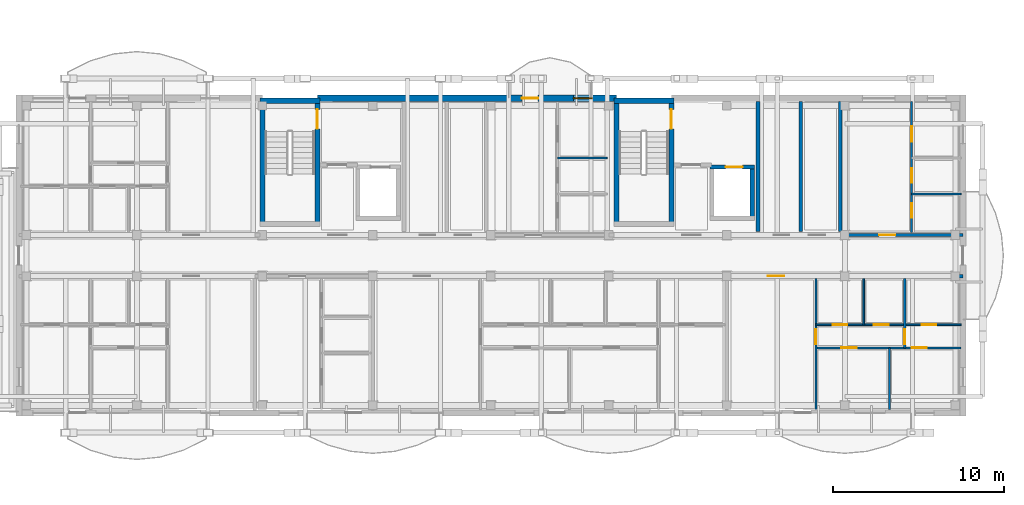
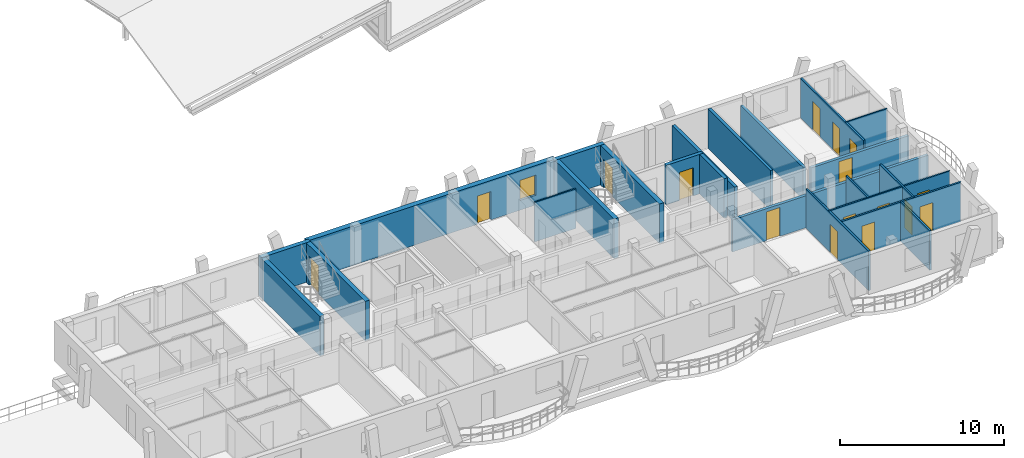
# One storey, part 80 of 109: 23 walls, 16 doors, 1 window, 17 openings.
"""IFC4 building model written with IfcOpenShell, lengths in metres."""

from ifc_helpers import new_model, si_unit, direction, frame, frame_2d, origin, origin_with_axes, place, context, subcontext, project, spatial, rectangle, extrude, material, layer, layer_set, type_object, element, fill, save


model = new_model("IFC4")

# Units and contexts
model_context = context("Model", 3, precision=1e-05, world=origin(), true_north=direction((0.0, 1.0)))
body_context = subcontext(model_context, "Body", "Model", "MODEL_VIEW")
ifc_project = project(units=[si_unit("LENGTHUNIT", "METRE"), si_unit("AREAUNIT", "SQUARE_METRE"), si_unit("VOLUMEUNIT", "CUBIC_METRE"), si_unit("PLANEANGLEUNIT", "RADIAN"), si_unit("MASSUNIT", "GRAM", prefix="KILO")], contexts=[model_context])

# Site, building, storey
site_placement = place(None, origin())
site = spatial("IfcSite", under=ifc_project, at=site_placement, CompositionType="ELEMENT")
building_placement = place(site_placement, origin())
building = spatial("IfcBuilding", under=site, at=building_placement, Name="Zavelmont Quarter", CompositionType="ELEMENT")
storey_placement = place(building_placement, frame((0.0, 0.0, 8.0)))
storey = spatial("IfcBuildingStorey", under=building, at=storey_placement, Name="L02", CompositionType="ELEMENT", Elevation=8.0)

# Wall, openings, door, window
ifc_material_1 = material(Name="Natural Belgian limestone", Category="masonry")
ifc_layer_1 = layer(ifc_material_1, 0.360107421875)
ifc_layer_set_1 = layer_set([ifc_layer_1], Name="Natural Belgian limestone")
wall_type_1 = type_object("IfcWallType", Name="EW02", PredefinedType="STANDARD", material=ifc_layer_set_1)
wall_1_placement = place(storey_placement, frame((130.25, 18.39990234375, 0.0), z_axis=(0.0, 0.0, 1.0), x_axis=(1.0, 0.0, 0.0)))
wall_1 = element("IfcWall", 1, at=wall_1_placement, inside=storey, type_object=wall_type_1, Name="L02 exterior limestone wall EW02", PredefinedType="STANDARD", context=body_context, shape_type="SweptSolid", body=[
    extrude(rectangle(XDim=17.5, YDim=0.360107421875, at=frame_2d((8.75, 0.0))), origin(), (0.0, 0.0, 1.0), 2.93994140625),
])
opening_1_placement = place(wall_1_placement, frame((11.96630859375, 0.0, 0.0)))
opening_1 = element("IfcOpeningElement", 2, at=opening_1_placement, cuts=wall_1, Name="Opening DR04", PredefinedType="OPENING", context=body_context, shape_type="SweptSolid", body=[
    extrude(rectangle(XDim=0.949951171875, YDim=2.10009765625, at=frame_2d((0.47509765625, 1.050048828125))), frame((0.0, 0.19189453125, 0.0), z_axis=(0.0, -1.0, 0.0), x_axis=(1.0, 0.0, 0.0)), (0.0, 0.0, 1.0), 0.384033203125),
])
opening_2_placement = place(wall_1_placement, frame((14.969970703125, 0.0, 0.719970703125)))
opening_2 = element("IfcOpeningElement", 3, at=opening_2_placement, cuts=wall_1, Name="Opening WN09", PredefinedType="OPENING", context=body_context, shape_type="SweptSolid", body=[
    extrude(rectangle(XDim=1.10009765625, YDim=1.5, at=frame_2d((0.550048828125, 0.75))), frame((0.0, 0.19189453125, 0.0), z_axis=(0.0, -1.0, 0.0), x_axis=(1.0, 0.0, 0.0)), (0.0, 0.0, 1.0), 0.384033203125),
])
ifc_material_2 = material(Name="Thermally broken aluminium and double safety glass", Category="aluminium")
door_type_1 = type_object("IfcDoorType", Name="DR04", OperationType="NOTDEFINED", PredefinedType="DOOR", material=ifc_material_2)
door_1_placement = place(opening_1_placement, frame((0.949951171875, 0.0, 0.0), z_axis=(0.0, 0.0, 1.0), x_axis=(-1.0, 0.0, 0.0)))
door_1 = element("IfcDoor", 4, at=door_1_placement, inside=storey, type_object=door_type_1, Name="Block D L02 glazed balcony door", OperationType="SINGLE_SWING_LEFT", OverallHeight=2.10009765625, OverallWidth=0.949951171875, PredefinedType="DOOR", context=body_context, shape_type="SweptSolid", body=[
    extrude(rectangle(XDim=0.949951171875, YDim=2.10009765625, at=frame_2d((0.47509765625, 1.050048828125))), frame((0.0, 0.02490234375, 0.0), z_axis=(0.0, -1.0, 0.0), x_axis=(1.0, 0.0, 0.0)), (0.0, 0.0, 1.0), 0.050048828125),
])
fill(opening_1, door_1)
ifc_material_3 = material(Name="Double low-E insulated glazing in thermally broken aluminium frame", Category="aluminium")
window_type = type_object("IfcWindowType", Name="WN09", PartitioningType="SINGLE_PANEL", PredefinedType="WINDOW", material=ifc_material_3)
window_placement = place(opening_2_placement, origin_with_axes())
window = element("IfcWindow", 5, at=window_placement, inside=storey, type_object=window_type, Name="L02 window WN09", OverallHeight=1.5, OverallWidth=1.10009765625, PartitioningType="SINGLE_PANEL", PredefinedType="WINDOW", context=body_context, shape_type="SweptSolid", body=[
    extrude(rectangle(XDim=1.10009765625, YDim=1.5, at=frame_2d((0.550048828125, 0.75))), frame((0.0, 0.030029296875, 0.0), z_axis=(0.0, -1.0, 0.0), x_axis=(1.0, 0.0, 0.0)), (0.0, 0.0, 1.0), 0.06005859375),
])
fill(opening_2, window)

# Walls
ifc_material_4 = material(Name="Calcium-silicate blockwork and acoustic plaster", Category="masonry")
ifc_layer_2 = layer(ifc_material_4, 0.199951171875)
ifc_layer_set_2 = layer_set([ifc_layer_2], Name="Calcium-silicate blockwork and acoustic plaster")
wall_type_2 = type_object("IfcWallType", Name="IW01", PredefinedType="PARTITIONING", material=ifc_layer_set_2)
wall_2_placement = place(storey_placement, frame((158.52490234375, 10.60009765625, 0.0), z_axis=(0.0, 0.0, 1.0), x_axis=(0.0, 1.0, 0.0)))
element("IfcWall", 6, at=wall_2_placement, inside=storey, type_object=wall_type_2, Name="L02 Service riser divider wall IW01", PredefinedType="PARTITIONING", context=body_context, shape_type="SweptSolid", body=[
    extrude(rectangle(XDim=7.599853515625, YDim=0.199951171875, at=frame_2d((3.7998046875, 0.0))), origin(), (0.0, 0.0, 1.0), 2.93994140625),
])
wall_3_placement = place(storey_placement, frame((160.820068359375, 10.60009765625, 0.0), z_axis=(0.0, 0.0, 1.0), x_axis=(0.0, 1.0, 0.0)))
element("IfcWall", 7, at=wall_3_placement, inside=storey, type_object=wall_type_2, Name="L02 Core service end wall IW01", PredefinedType="PARTITIONING", context=body_context, shape_type="SweptSolid", body=[
    extrude(rectangle(XDim=7.599853515625, YDim=0.199951171875, at=frame_2d((3.7998046875, 0.0))), origin(), (0.0, 0.0, 1.0), 2.3798828125),
])

# Wall, opening, door
wall_4_placement = place(storey_placement, frame((154.199951171875, 8.0, 0.0), z_axis=(0.0, 0.0, 1.0), x_axis=(1.0, 0.0, 0.0)))
wall_4 = element("IfcWall", 8, at=wall_4_placement, inside=storey, type_object=wall_type_2, Name="L02 Corridor compartment wall IW01", PredefinedType="PARTITIONING", context=body_context, shape_type="SweptSolid", body=[
    extrude(rectangle(XDim=13.800048828125, YDim=0.199951171875, at=frame_2d((6.89990234375, 0.0))), origin(), (0.0, 0.0, 1.0), 2.3798828125),
])
opening_3_placement = place(wall_4_placement, frame((2.39990234375, 0.0, 0.0)))
opening_3 = element("IfcOpeningElement", 9, at=opening_3_placement, cuts=wall_4, Name="Opening DR02", PredefinedType="OPENING", context=body_context, shape_type="SweptSolid", body=[
    extrude(rectangle(XDim=0.949951171875, YDim=2.14990234375, at=frame_2d((0.47509765625, 1.074951171875))), frame((0.0, 0.11181640625, 0.0), z_axis=(0.0, -1.0, 0.0), x_axis=(1.0, 0.0, 0.0)), (0.0, 0.0, 1.0), 0.223876953125),
])
ifc_material_5 = material(Name="Solid-core oak fire leaf in steel frame", Category="steel")
door_type_2 = type_object("IfcDoorType", Name="DR02", OperationType="NOTDEFINED", PredefinedType="DOOR", material=ifc_material_5)
door_2_placement = place(opening_3_placement, frame((0.949951171875, 0.0, 0.0), z_axis=(0.0, 0.0, 1.0), x_axis=(-1.0, 0.0, 0.0)))
door_2 = element("IfcDoor", 10, at=door_2_placement, inside=storey, type_object=door_type_2, Name="L02 door DR02", OperationType="SINGLE_SWING_RIGHT", OverallHeight=2.14990234375, OverallWidth=0.949951171875, PredefinedType="DOOR", context=body_context, shape_type="SweptSolid", body=[
    extrude(rectangle(XDim=0.949951171875, YDim=2.14990234375, at=frame_2d((0.47509765625, 1.074951171875))), frame((0.0, 0.02490234375, 0.0), z_axis=(0.0, -1.0, 0.0), x_axis=(1.0, 0.0, 0.0)), (0.0, 0.0, 1.0), 0.050048828125),
])
fill(opening_3, door_2)

wall_5_placement = place(storey_placement, frame((161.10009765625, 10.39990234375, 0.0), z_axis=(0.0, 0.0, 1.0), x_axis=(1.0, 0.0, 0.0)))
wall_5 = element("IfcWall", 11, at=wall_5_placement, inside=storey, type_object=wall_type_2, Name="L02 Corridor compartment wall IW01", PredefinedType="PARTITIONING", context=body_context, shape_type="SweptSolid", body=[
    extrude(rectangle(XDim=6.89990234375, YDim=0.199951171875, at=frame_2d((3.449951171875, 0.0))), origin(), (0.0, 0.0, 1.0), 2.3798828125),
])
opening_4_placement = place(wall_5_placement, frame((2.0, 0.0, 0.0)))
opening_4 = element("IfcOpeningElement", 12, at=opening_4_placement, cuts=wall_5, Name="Opening DR02", PredefinedType="OPENING", context=body_context, shape_type="SweptSolid", body=[
    extrude(rectangle(XDim=0.949951171875, YDim=2.14990234375, at=frame_2d((0.47509765625, 1.074951171875))), frame((0.0, 0.11181640625, 0.0), z_axis=(0.0, -1.0, 0.0), x_axis=(1.0, 0.0, 0.0)), (0.0, 0.0, 1.0), 0.223876953125),
])
door_3_placement = place(opening_4_placement, origin_with_axes())
door_3 = element("IfcDoor", 13, at=door_3_placement, inside=storey, type_object=door_type_2, Name="L02 door DR02", OperationType="SINGLE_SWING_RIGHT", OverallHeight=2.14990234375, OverallWidth=0.949951171875, PredefinedType="DOOR", context=body_context, shape_type="SweptSolid", body=[
    extrude(rectangle(XDim=0.949951171875, YDim=2.14990234375, at=frame_2d((0.47509765625, 1.074951171875))), frame((0.0, 0.02490234375, 0.0), z_axis=(0.0, -1.0, 0.0), x_axis=(1.0, 0.0, 0.0)), (0.0, 0.0, 1.0), 0.050048828125),
])
fill(opening_4, door_3)

# Wall
ifc_material_6 = material(Name="Reinforced masonry fire compartment wall", Category="masonry")
ifc_layer_3 = layer(ifc_material_6, 0.22509765625)
ifc_layer_set_3 = layer_set([ifc_layer_3], Name="Reinforced masonry fire compartment wall")
wall_type_3 = type_object("IfcWallType", Name="IW02", PredefinedType="PARTITIONING", material=ifc_layer_set_3)
wall_6_placement = place(storey_placement, frame((156.010009765625, 10.60009765625, 0.0), z_axis=(0.0, 0.0, 1.0), x_axis=(0.0, 1.0, 0.0)))
element("IfcWall", 14, at=wall_6_placement, inside=storey, type_object=wall_type_3, Name="L02 Firefighting lobby enclosure wall IW02", PredefinedType="PARTITIONING", context=body_context, shape_type="SweptSolid", body=[
    extrude(rectangle(XDim=7.599853515625, YDim=0.22509765625, at=frame_2d((3.7998046875, 0.0))), origin(), (0.0, 0.0, 1.0), 2.590087890625),
])

# Wall, opening, door
ifc_material_7 = material(Name="Double gypsum board on acoustic steel stud", Category="steel")
ifc_layer_4 = layer(ifc_material_7, 0.125)
ifc_layer_set_4 = layer_set([ifc_layer_4], Name="Double gypsum board on acoustic steel stud")
wall_type_4 = type_object("IfcWallType", Name="IW03", PredefinedType="PARTITIONING", material=ifc_layer_set_4)
wall_7_placement = place(storey_placement, frame((159.39990234375, 7.85009765625, 0.0), z_axis=(0.0, 0.0, 1.0), x_axis=(0.0, -1.0, 0.0)))
wall_7 = element("IfcWall", 15, at=wall_7_placement, inside=storey, type_object=wall_type_4, Name="L02 Partition IW03", PredefinedType="PARTITIONING", context=body_context, shape_type="SweptSolid", body=[
    extrude(rectangle(XDim=7.650146484375, YDim=0.125, at=frame_2d((3.8251953125, 0.0))), origin(), (0.0, 0.0, 1.0), 2.93994140625),
])
opening_5_placement = place(wall_7_placement, frame((2.949951171875, 0.0, 0.0)))
opening_5 = element("IfcOpeningElement", 16, at=opening_5_placement, cuts=wall_7, Name="Opening DR05", PredefinedType="OPENING", context=body_context, shape_type="SweptSolid", body=[
    extrude(rectangle(XDim=0.89990234375, YDim=2.10009765625, at=frame_2d((0.449951171875, 1.050048828125))), frame((0.0, 0.074462890625, 0.0), z_axis=(0.0, -1.0, 0.0), x_axis=(1.0, 0.0, 0.0)), (0.0, 0.0, 1.0), 0.14892578125),
])
ifc_material_8 = material(Name="Engineered oak flush interior door")
door_type_3 = type_object("IfcDoorType", Name="DR05", OperationType="NOTDEFINED", PredefinedType="DOOR", material=ifc_material_8)
door_4_placement = place(opening_5_placement, frame((0.89990234375, 0.0, 0.0), z_axis=(0.0, 0.0, 1.0), x_axis=(-1.0, 0.0, 0.0)))
door_4 = element("IfcDoor", 17, at=door_4_placement, inside=storey, type_object=door_type_3, Name="L02 door DR05", OperationType="SINGLE_SWING_RIGHT", OverallHeight=2.10009765625, OverallWidth=0.89990234375, PredefinedType="DOOR", context=body_context, shape_type="SweptSolid", body=[
    extrude(rectangle(XDim=0.89990234375, YDim=2.10009765625, at=frame_2d((0.449951171875, 1.050048828125))), frame((0.0, 0.02490234375, 0.0), z_axis=(0.0, -1.0, 0.0), x_axis=(1.0, 0.0, 0.0)), (0.0, 0.0, 1.0), 0.050048828125),
])
fill(opening_5, door_4)

wall_8_placement = place(storey_placement, frame((164.60009765625, 7.85009765625, 0.0), z_axis=(0.0, 0.0, 1.0), x_axis=(0.0, -1.0, 0.0)))
wall_8 = element("IfcWall", 18, at=wall_8_placement, inside=storey, type_object=wall_type_4, Name="L02 Partition IW03", PredefinedType="PARTITIONING", context=body_context, shape_type="SweptSolid", body=[
    extrude(rectangle(XDim=4.050048828125, YDim=0.125, at=frame_2d((2.02490234375, 0.0))), origin(), (0.0, 0.0, 1.0), 2.93994140625),
])
opening_6_placement = place(wall_8_placement, frame((2.949951171875, 0.0, 0.0)))
opening_6 = element("IfcOpeningElement", 19, at=opening_6_placement, cuts=wall_8, Name="Opening DR05", PredefinedType="OPENING", context=body_context, shape_type="SweptSolid", body=[
    extrude(rectangle(XDim=0.89990234375, YDim=2.10009765625, at=frame_2d((0.449951171875, 1.050048828125))), frame((0.0, 0.074462890625, 0.0), z_axis=(0.0, -1.0, 0.0), x_axis=(1.0, 0.0, 0.0)), (0.0, 0.0, 1.0), 0.14892578125),
])
door_5_placement = place(opening_6_placement, origin_with_axes())
door_5 = element("IfcDoor", 20, at=door_5_placement, inside=storey, type_object=door_type_3, Name="L02 door DR05", OperationType="SINGLE_SWING_LEFT", OverallHeight=2.10009765625, OverallWidth=0.89990234375, PredefinedType="DOOR", context=body_context, shape_type="SweptSolid", body=[
    extrude(rectangle(XDim=0.89990234375, YDim=2.10009765625, at=frame_2d((0.449951171875, 1.050048828125))), frame((0.0, 0.02490234375, 0.0), z_axis=(0.0, -1.0, 0.0), x_axis=(1.0, 0.0, 0.0)), (0.0, 0.0, 1.0), 0.050048828125),
])
fill(opening_6, door_5)

# Wall
wall_9_placement = place(storey_placement, frame((163.699951171875, 3.800048828125, 0.0), z_axis=(0.0, 0.0, 1.0), x_axis=(0.0, -1.0, 0.0)))
element("IfcWall", 21, at=wall_9_placement, inside=storey, type_object=wall_type_4, Name="L02 Partition IW03", PredefinedType="PARTITIONING", context=body_context, shape_type="SweptSolid", body=[
    extrude(rectangle(XDim=3.60009765625, YDim=0.125, at=frame_2d((1.800048828125, 0.0))), origin(), (0.0, 0.0, 1.0), 2.93994140625),
])

# Wall, openings, doors
wall_10_placement = place(storey_placement, frame((159.39990234375, 3.800048828125, 0.0), z_axis=(0.0, 0.0, 1.0), x_axis=(1.0, 0.0, 0.0)))
wall_10 = element("IfcWall", 22, at=wall_10_placement, inside=storey, type_object=wall_type_4, Name="L02 Partition IW03", PredefinedType="PARTITIONING", context=body_context, shape_type="SweptSolid", body=[
    extrude(rectangle(XDim=8.5, YDim=0.125, at=frame_2d((4.25, 0.0))), origin(), (0.0, 0.0, 1.0), 2.93994140625),
])
opening_7_placement = place(wall_10_placement, frame((1.5, 0.0, 0.0)))
opening_7 = element("IfcOpeningElement", 23, at=opening_7_placement, cuts=wall_10, Name="Opening DR05", PredefinedType="OPENING", context=body_context, shape_type="SweptSolid", body=[
    extrude(rectangle(XDim=0.89990234375, YDim=2.10009765625, at=frame_2d((0.449951171875, 1.050048828125))), frame((0.0, 0.074462890625, 0.0), z_axis=(0.0, -1.0, 0.0), x_axis=(1.0, 0.0, 0.0)), (0.0, 0.0, 1.0), 0.14892578125),
])
opening_8_placement = place(wall_10_placement, frame((5.60009765625, 0.0, 0.0)))
opening_8 = element("IfcOpeningElement", 24, at=opening_8_placement, cuts=wall_10, Name="Opening DR05", PredefinedType="OPENING", context=body_context, shape_type="SweptSolid", body=[
    extrude(rectangle(XDim=0.89990234375, YDim=2.10009765625, at=frame_2d((0.449951171875, 1.050048828125))), frame((0.0, 0.074462890625, 0.0), z_axis=(0.0, -1.0, 0.0), x_axis=(1.0, 0.0, 0.0)), (0.0, 0.0, 1.0), 0.14892578125),
])
door_6_placement = place(opening_7_placement, origin_with_axes())
door_6 = element("IfcDoor", 25, at=door_6_placement, inside=storey, type_object=door_type_3, Name="L02 door DR05", OperationType="SINGLE_SWING_LEFT", OverallHeight=2.10009765625, OverallWidth=0.89990234375, PredefinedType="DOOR", context=body_context, shape_type="SweptSolid", body=[
    extrude(rectangle(XDim=0.89990234375, YDim=2.10009765625, at=frame_2d((0.449951171875, 1.050048828125))), frame((0.0, 0.02490234375, 0.0), z_axis=(0.0, -1.0, 0.0), x_axis=(1.0, 0.0, 0.0)), (0.0, 0.0, 1.0), 0.050048828125),
])
fill(opening_7, door_6)
door_7_placement = place(opening_8_placement, frame((0.89990234375, 0.0, 0.0), z_axis=(0.0, 0.0, 1.0), x_axis=(-1.0, 0.0, 0.0)))
door_7 = element("IfcDoor", 26, at=door_7_placement, inside=storey, type_object=door_type_3, Name="L02 door DR05", OperationType="SINGLE_SWING_RIGHT", OverallHeight=2.10009765625, OverallWidth=0.89990234375, PredefinedType="DOOR", context=body_context, shape_type="SweptSolid", body=[
    extrude(rectangle(XDim=0.89990234375, YDim=2.10009765625, at=frame_2d((0.449951171875, 1.050048828125))), frame((0.0, 0.02490234375, 0.0), z_axis=(0.0, -1.0, 0.0), x_axis=(1.0, 0.0, 0.0)), (0.0, 0.0, 1.0), 0.050048828125),
])
fill(opening_8, door_7)

wall_11_placement = place(storey_placement, frame((165.0, 10.550048828125, 0.0), z_axis=(0.0, 0.0, 1.0), x_axis=(0.0, 1.0, 0.0)))
wall_11 = element("IfcWall", 27, at=wall_11_placement, inside=storey, type_object=wall_type_4, Name="L02 Partition IW03", PredefinedType="PARTITIONING", context=body_context, shape_type="SweptSolid", body=[
    extrude(rectangle(XDim=7.64990234375, YDim=0.125, at=frame_2d((3.824951171875, 0.0))), origin(), (0.0, 0.0, 1.0), 2.93994140625),
])
opening_9_placement = place(wall_11_placement, frame((0.85009765625, 0.0, 0.0)))
opening_9 = element("IfcOpeningElement", 28, at=opening_9_placement, cuts=wall_11, Name="Opening DR16", PredefinedType="OPENING", context=body_context, shape_type="SweptSolid", body=[
    extrude(rectangle(XDim=0.85009765625, YDim=2.10009765625, at=frame_2d((0.425048828125, 1.050048828125))), frame((0.0, 0.074462890625, 0.0), z_axis=(0.0, -1.0, 0.0), x_axis=(1.0, 0.0, 0.0)), (0.0, 0.0, 1.0), 0.14892578125),
])
opening_10_placement = place(wall_11_placement, frame((2.89990234375, 0.0, 0.0)))
opening_10 = element("IfcOpeningElement", 29, at=opening_10_placement, cuts=wall_11, Name="Opening DR06", PredefinedType="OPENING", context=body_context, shape_type="SweptSolid", body=[
    extrude(rectangle(XDim=0.85009765625, YDim=2.050048828125, at=frame_2d((0.425048828125, 1.02490234375))), frame((0.0, 0.074462890625, 0.0), z_axis=(0.0, -1.0, 0.0), x_axis=(1.0, 0.0, 0.0)), (0.0, 0.0, 1.0), 0.14892578125),
])
opening_11_placement = place(wall_11_placement, frame((5.300048828125, 0.0, 0.0)))
opening_11 = element("IfcOpeningElement", 30, at=opening_11_placement, cuts=wall_11, Name="Opening DR05", PredefinedType="OPENING", context=body_context, shape_type="SweptSolid", body=[
    extrude(rectangle(XDim=0.89990234375, YDim=2.10009765625, at=frame_2d((0.449951171875, 1.050048828125))), frame((0.0, 0.074462890625, 0.0), z_axis=(0.0, -1.0, 0.0), x_axis=(1.0, 0.0, 0.0)), (0.0, 0.0, 1.0), 0.14892578125),
])
door_8_placement = place(opening_11_placement, origin_with_axes())
door_8 = element("IfcDoor", 31, at=door_8_placement, inside=storey, type_object=door_type_3, Name="L02 door DR05", OperationType="SINGLE_SWING_RIGHT", OverallHeight=2.10009765625, OverallWidth=0.89990234375, PredefinedType="DOOR", context=body_context, shape_type="SweptSolid", body=[
    extrude(rectangle(XDim=0.89990234375, YDim=2.10009765625, at=frame_2d((0.449951171875, 1.050048828125))), frame((0.0, 0.02490234375, 0.0), z_axis=(0.0, -1.0, 0.0), x_axis=(1.0, 0.0, 0.0)), (0.0, 0.0, 1.0), 0.050048828125),
])
fill(opening_11, door_8)
ifc_material_9 = material(Name="Moisture-resistant painted wet-room door")
door_type_4 = type_object("IfcDoorType", Name="DR06", OperationType="NOTDEFINED", PredefinedType="DOOR", material=ifc_material_9)
door_9_placement = place(opening_10_placement, frame((0.85009765625, 0.0, 0.0), z_axis=(0.0, 0.0, 1.0), x_axis=(-1.0, 0.0, 0.0)))
door_9 = element("IfcDoor", 32, at=door_9_placement, inside=storey, type_object=door_type_4, Name="L02 door DR06", OperationType="SINGLE_SWING_LEFT", OverallHeight=2.050048828125, OverallWidth=0.85009765625, PredefinedType="DOOR", context=body_context, shape_type="SweptSolid", body=[
    extrude(rectangle(XDim=0.85009765625, YDim=2.050048828125, at=frame_2d((0.425048828125, 1.02490234375))), frame((0.0, 0.02490234375, 0.0), z_axis=(0.0, -1.0, 0.0), x_axis=(1.0, 0.0, 0.0)), (0.0, 0.0, 1.0), 0.050048828125),
])
fill(opening_10, door_9)
door_type_5 = type_object("IfcDoorType", Name="DR16", OperationType="NOTDEFINED", PredefinedType="DOOR", material=ifc_material_8)
door_10_placement = place(opening_9_placement, origin_with_axes())
door_10 = element("IfcDoor", 33, at=door_10_placement, inside=storey, type_object=door_type_5, Name="L02 door DR16", OperationType="SINGLE_SWING_RIGHT", OverallHeight=2.10009765625, OverallWidth=0.85009765625, PredefinedType="DOOR", context=body_context, shape_type="SweptSolid", body=[
    extrude(rectangle(XDim=0.85009765625, YDim=2.10009765625, at=frame_2d((0.425048828125, 1.050048828125))), frame((0.0, 0.02490234375, 0.0), z_axis=(0.0, -1.0, 0.0), x_axis=(1.0, 0.0, 0.0)), (0.0, 0.0, 1.0), 0.050048828125),
])
fill(opening_9, door_10)

# Wall
ifc_material_10 = material(Name="Moisture-resistant gypsum board on steel stud", Category="steel")
ifc_layer_5 = layer(ifc_material_10, 0.10009765625)
ifc_layer_set_5 = layer_set([ifc_layer_5], Name="Moisture-resistant gypsum board on steel stud")
wall_type_5 = type_object("IfcWallType", Name="IW04", PredefinedType="PARTITIONING", material=ifc_layer_set_5)
wall_12_placement = place(storey_placement, frame((162.199951171875, 7.85009765625, 0.0), z_axis=(0.0, 0.0, 1.0), x_axis=(0.0, -1.0, 0.0)))
element("IfcWall", 34, at=wall_12_placement, inside=storey, type_object=wall_type_5, Name="L02 Partition IW04", PredefinedType="PARTITIONING", context=body_context, shape_type="SweptSolid", body=[
    extrude(rectangle(XDim=2.7001953125, YDim=0.10009765625, at=frame_2d((1.35009765625, 0.0))), origin(), (0.0, 0.0, 1.0), 2.93994140625),
])

# Wall, openings, doors
wall_13_placement = place(storey_placement, frame((159.39990234375, 5.14990234375, 0.0), z_axis=(0.0, 0.0, 1.0), x_axis=(1.0, 0.0, 0.0)))
wall_13 = element("IfcWall", 35, at=wall_13_placement, inside=storey, type_object=wall_type_5, Name="L02 Partition IW04", PredefinedType="PARTITIONING", context=body_context, shape_type="SweptSolid", body=[
    extrude(rectangle(XDim=8.5, YDim=0.10009765625, at=frame_2d((4.25, 0.0))), origin(), (0.0, 0.0, 1.0), 2.93994140625),
])
opening_12_placement = place(wall_13_placement, frame((1.0, 0.0, 0.0)))
opening_12 = element("IfcOpeningElement", 36, at=opening_12_placement, cuts=wall_13, Name="Opening DR16", PredefinedType="OPENING", context=body_context, shape_type="SweptSolid", body=[
    extrude(rectangle(XDim=0.85009765625, YDim=2.10009765625, at=frame_2d((0.425048828125, 1.050048828125))), frame((0.0, 0.06201171875, 0.0), z_axis=(0.0, -1.0, 0.0), x_axis=(1.0, 0.0, 0.0)), (0.0, 0.0, 1.0), 0.1240234375),
])
opening_13_placement = place(wall_13_placement, frame((3.39990234375, 0.0, 0.0)))
opening_13 = element("IfcOpeningElement", 37, at=opening_13_placement, cuts=wall_13, Name="Opening DR06", PredefinedType="OPENING", context=body_context, shape_type="SweptSolid", body=[
    extrude(rectangle(XDim=0.85009765625, YDim=2.050048828125, at=frame_2d((0.425048828125, 1.02490234375))), frame((0.0, 0.06201171875, 0.0), z_axis=(0.0, -1.0, 0.0), x_axis=(1.0, 0.0, 0.0)), (0.0, 0.0, 1.0), 0.1240234375),
])
opening_14_placement = place(wall_13_placement, frame((6.199951171875, 0.0, 0.0)))
opening_14 = element("IfcOpeningElement", 38, at=opening_14_placement, cuts=wall_13, Name="Opening DR06", PredefinedType="OPENING", context=body_context, shape_type="SweptSolid", body=[
    extrude(rectangle(XDim=0.85009765625, YDim=2.050048828125, at=frame_2d((0.425048828125, 1.02490234375))), frame((0.0, 0.06201171875, 0.0), z_axis=(0.0, -1.0, 0.0), x_axis=(1.0, 0.0, 0.0)), (0.0, 0.0, 1.0), 0.1240234375),
])
door_11_placement = place(opening_13_placement, origin_with_axes())
door_11 = element("IfcDoor", 39, at=door_11_placement, inside=storey, type_object=door_type_4, Name="L02 door DR06", OperationType="SINGLE_SWING_LEFT", OverallHeight=2.050048828125, OverallWidth=0.85009765625, PredefinedType="DOOR", context=body_context, shape_type="SweptSolid", body=[
    extrude(rectangle(XDim=0.85009765625, YDim=2.050048828125, at=frame_2d((0.425048828125, 1.02490234375))), frame((0.0, 0.02490234375, 0.0), z_axis=(0.0, -1.0, 0.0), x_axis=(1.0, 0.0, 0.0)), (0.0, 0.0, 1.0), 0.050048828125),
])
fill(opening_13, door_11)
door_12_placement = place(opening_14_placement, frame((0.85009765625, 0.0, 0.0), z_axis=(0.0, 0.0, 1.0), x_axis=(-1.0, 0.0, 0.0)))
door_12 = element("IfcDoor", 40, at=door_12_placement, inside=storey, type_object=door_type_4, Name="L02 door DR06", OperationType="SINGLE_SWING_RIGHT", OverallHeight=2.050048828125, OverallWidth=0.85009765625, PredefinedType="DOOR", context=body_context, shape_type="SweptSolid", body=[
    extrude(rectangle(XDim=0.85009765625, YDim=2.050048828125, at=frame_2d((0.425048828125, 1.02490234375))), frame((0.0, 0.02490234375, 0.0), z_axis=(0.0, -1.0, 0.0), x_axis=(1.0, 0.0, 0.0)), (0.0, 0.0, 1.0), 0.050048828125),
])
fill(opening_14, door_12)
door_13_placement = place(opening_12_placement, frame((0.85009765625, 0.0, 0.0), z_axis=(0.0, 0.0, 1.0), x_axis=(-1.0, 0.0, 0.0)))
door_13 = element("IfcDoor", 41, at=door_13_placement, inside=storey, type_object=door_type_5, Name="L02 door DR16", OperationType="SINGLE_SWING_RIGHT", OverallHeight=2.10009765625, OverallWidth=0.85009765625, PredefinedType="DOOR", context=body_context, shape_type="SweptSolid", body=[
    extrude(rectangle(XDim=0.85009765625, YDim=2.10009765625, at=frame_2d((0.425048828125, 1.050048828125))), frame((0.0, 0.02490234375, 0.0), z_axis=(0.0, -1.0, 0.0), x_axis=(1.0, 0.0, 0.0)), (0.0, 0.0, 1.0), 0.050048828125),
])
fill(opening_12, door_13)

# Walls
for number, where, z_axis, x_axis, name in (
    (42, (144.300048828125, 14.89990234375, 0.0), (0.0, 0.0, 1.0), (1.0, 0.0, 0.0), "L02 Partition IW04"),
    (43, (165.0, 12.800048828125, 0.0), (0.0, 0.0, 1.0), (1.0, 0.0, 0.0), "L02 Partition IW04"),
):
    element("IfcWall", number, at=place(storey_placement, frame(where, z_axis=z_axis, x_axis=x_axis)), inside=storey, type_object=wall_type_5, Name=name, PredefinedType="PARTITIONING", context=body_context, shape_type="SweptSolid", body=[
        extrude(rectangle(XDim=2.89990234375, YDim=0.10009765625, at=frame_2d((1.449951171875, 0.0))), origin(), (0.0, 0.0, 1.0), 2.93994140625),
    ])
ifc_material_11 = material(Name="Concrete C40/50", Category="concrete")
ifc_layer_6 = layer(ifc_material_11, 0.300048828125)
ifc_layer_set_6 = layer_set([ifc_layer_6], Name="Concrete C40/50")
wall_type_6 = type_object("IfcWallType", Name="SW01", PredefinedType="SHEAR", material=ifc_layer_set_6)
wall_14_placement = place(storey_placement, frame((127.050048828125, 10.89990234375, 0.0), z_axis=(0.0, 0.0, 1.0), x_axis=(0.0, 1.0, 0.0)))
element("IfcWall", 44, at=wall_14_placement, inside=storey, type_object=wall_type_6, Name="L02 ST07 west shear wall SW01", PredefinedType="SHEAR", context=body_context, shape_type="SweptSolid", body=[
    extrude(rectangle(XDim=7.5, YDim=0.300048828125, at=frame_2d((3.75, 0.0))), origin(), (0.0, 0.0, 1.0), 2.93994140625),
])

# Wall, opening, door
wall_15_placement = place(storey_placement, frame((130.25, 10.89990234375, 0.0), z_axis=(0.0, 0.0, 1.0), x_axis=(0.0, 1.0, 0.0)))
wall_15 = element("IfcWall", 45, at=wall_15_placement, inside=storey, type_object=wall_type_6, Name="L02 ST07 lobby shear wall SW01", PredefinedType="SHEAR", context=body_context, shape_type="SweptSolid", body=[
    extrude(rectangle(XDim=7.5, YDim=0.300048828125, at=frame_2d((3.75, 0.0))), origin(), (0.0, 0.0, 1.0), 2.93994140625),
])
opening_15_placement = place(wall_15_placement, frame((5.699951171875, 0.0, 0.0)))
opening_15 = element("IfcOpeningElement", 46, at=opening_15_placement, cuts=wall_15, Name="Opening DR09", PredefinedType="OPENING", context=body_context, shape_type="SweptSolid", body=[
    extrude(rectangle(XDim=1.14990234375, YDim=2.14990234375, at=frame_2d((0.574951171875, 1.074951171875))), frame((0.0, 0.162109375, 0.0), z_axis=(0.0, -1.0, 0.0), x_axis=(1.0, 0.0, 0.0)), (0.0, 0.0, 1.0), 0.323974609375),
])
ifc_material_12 = material(Name="Painted steel stair-core fire door", Category="steel")
door_type_6 = type_object("IfcDoorType", Name="DR09", OperationType="NOTDEFINED", PredefinedType="DOOR", material=ifc_material_12)
door_14_placement = place(opening_15_placement, origin_with_axes())
door_14 = element("IfcDoor", 47, at=door_14_placement, inside=storey, type_object=door_type_6, Name="ST07 protected stair door", OperationType="SINGLE_SWING_LEFT", OverallHeight=2.14990234375, OverallWidth=1.14990234375, PredefinedType="DOOR", context=body_context, shape_type="SweptSolid", body=[
    extrude(rectangle(XDim=1.14990234375, YDim=2.14990234375, at=frame_2d((0.574951171875, 1.074951171875))), frame((0.0, 0.02490234375, 0.0), z_axis=(0.0, -1.0, 0.0), x_axis=(1.0, 0.0, 0.0)), (0.0, 0.0, 1.0), 0.050048828125),
])
fill(opening_15, door_14)

# Wall
wall_16_placement = place(storey_placement, frame((147.75, 10.89990234375, 0.0), z_axis=(0.0, 0.0, 1.0), x_axis=(0.0, 1.0, 0.0)))
element("IfcWall", 48, at=wall_16_placement, inside=storey, type_object=wall_type_6, Name="L02 ST08 west shear wall SW01", PredefinedType="SHEAR", context=body_context, shape_type="SweptSolid", body=[
    extrude(rectangle(XDim=7.5, YDim=0.300048828125, at=frame_2d((3.75, 0.0))), origin(), (0.0, 0.0, 1.0), 2.93994140625),
])

# Wall, opening, door
wall_17_placement = place(storey_placement, frame((150.949951171875, 10.89990234375, 0.0), z_axis=(0.0, 0.0, 1.0), x_axis=(0.0, 1.0, 0.0)))
wall_17 = element("IfcWall", 49, at=wall_17_placement, inside=storey, type_object=wall_type_6, Name="L02 ST08 lobby shear wall SW01", PredefinedType="SHEAR", context=body_context, shape_type="SweptSolid", body=[
    extrude(rectangle(XDim=7.5, YDim=0.300048828125, at=frame_2d((3.75, 0.0))), origin(), (0.0, 0.0, 1.0), 2.93994140625),
])
opening_16_placement = place(wall_17_placement, frame((5.699951171875, 0.0, 0.0)))
opening_16 = element("IfcOpeningElement", 50, at=opening_16_placement, cuts=wall_17, Name="Opening DR09", PredefinedType="OPENING", context=body_context, shape_type="SweptSolid", body=[
    extrude(rectangle(XDim=1.14990234375, YDim=2.14990234375, at=frame_2d((0.574951171875, 1.074951171875))), frame((0.0, 0.162109375, 0.0), z_axis=(0.0, -1.0, 0.0), x_axis=(1.0, 0.0, 0.0)), (0.0, 0.0, 1.0), 0.323974609375),
])
door_15_placement = place(opening_16_placement, origin_with_axes())
door_15 = element("IfcDoor", 51, at=door_15_placement, inside=storey, type_object=door_type_6, Name="ST08 protected stair door", OperationType="SINGLE_SWING_LEFT", OverallHeight=2.14990234375, OverallWidth=1.14990234375, PredefinedType="DOOR", context=body_context, shape_type="SweptSolid", body=[
    extrude(rectangle(XDim=1.14990234375, YDim=2.14990234375, at=frame_2d((0.574951171875, 1.074951171875))), frame((0.0, 0.02490234375, 0.0), z_axis=(0.0, -1.0, 0.0), x_axis=(1.0, 0.0, 0.0)), (0.0, 0.0, 1.0), 0.050048828125),
])
fill(opening_16, door_15)

ifc_layer_7 = layer(ifc_material_11, 0.25)
ifc_layer_set_7 = layer_set([ifc_layer_7], Name="Concrete C40/50")
wall_type_7 = type_object("IfcWallType", Name="SW02", PredefinedType="SHEAR", material=ifc_layer_set_7)
wall_18_placement = place(storey_placement, frame((153.199951171875, 14.375, 0.0), z_axis=(0.0, 0.0, 1.0), x_axis=(1.0, 0.0, 0.0)))
wall_18 = element("IfcWall", 52, at=wall_18_placement, inside=storey, type_object=wall_type_7, Name="L02 Lift LF08 landing shaft wall SW02", PredefinedType="SHEAR", context=body_context, shape_type="SweptSolid", body=[
    extrude(rectangle(XDim=2.60009765625, YDim=0.25, at=frame_2d((1.300048828125, 0.0))), origin(), (0.0, 0.0, 1.0), 2.93994140625),
])
opening_17_placement = place(wall_18_placement, frame((0.925048828125, 0.0, 0.0)))
opening_17 = element("IfcOpeningElement", 53, at=opening_17_placement, cuts=wall_18, Name="Opening LD01", PredefinedType="OPENING", context=body_context, shape_type="SweptSolid", body=[
    extrude(rectangle(XDim=1.0, YDim=2.10009765625, at=frame_2d((0.5, 1.050048828125))), frame((0.0, 0.136962890625, 0.0), z_axis=(0.0, -1.0, 0.0), x_axis=(1.0, 0.0, 0.0)), (0.0, 0.0, 1.0), 0.27392578125),
])
ifc_material_13 = material(Name="Brushed stainless-steel automatic sliding landing door", Category="steel")
door_type_7 = type_object("IfcDoorType", Name="LD01", OperationType="SLIDING_TO_LEFT", PredefinedType="DOOR", material=ifc_material_13)
door_16_placement = place(opening_17_placement, origin_with_axes())
door_16 = element("IfcDoor", 54, at=door_16_placement, inside=storey, type_object=door_type_7, Name="Lift LF08 sliding landing door", OperationType="SLIDING_TO_LEFT", OverallHeight=2.10009765625, OverallWidth=1.0, PredefinedType="DOOR", context=body_context, shape_type="SweptSolid", body=[
    extrude(rectangle(XDim=1.0, YDim=2.10009765625, at=frame_2d((0.5, 1.050048828125))), frame((0.0, 0.02490234375, 0.0), z_axis=(0.0, -1.0, 0.0), x_axis=(1.0, 0.0, 0.0)), (0.0, 0.0, 1.0), 0.050048828125),
])
fill(opening_17, door_16)

# Walls
wall_19_placement = place(storey_placement, frame((155.675048828125, 11.25, 0.0), z_axis=(0.0, 0.0, 1.0), x_axis=(0.0, 1.0, 0.0)))
element("IfcWall", 55, at=wall_19_placement, inside=storey, type_object=wall_type_7, Name="L02 Lift LF08 east shaft wall SW02", PredefinedType="SHEAR", context=body_context, shape_type="SweptSolid", body=[
    extrude(rectangle(XDim=3.25, YDim=0.25, at=frame_2d((1.625, 0.0))), origin(), (0.0, 0.0, 1.0), 2.93994140625),
])
ifc_layer_8 = layer(ifc_material_11, 0.300048828125)
ifc_layer_set_8 = layer_set([ifc_layer_8], Name="Concrete C40/50")
wall_type_8 = type_object("IfcWallType", Name="SW03", PredefinedType="SHEAR", material=ifc_layer_set_8)
for number, where, z_axis, x_axis, name in (
    (56, (126.89990234375, 18.25, 0.0), (0.0, 0.0, 1.0), (1.0, 0.0, 0.0), "L02 ST07 outer shear wall SW03"),
    (57, (147.60009765625, 18.25, 0.0), (0.0, 0.0, 1.0), (1.0, 0.0, 0.0), "L02 ST08 outer shear wall SW03"),
):
    element("IfcWall", number, at=place(storey_placement, frame(where, z_axis=z_axis, x_axis=x_axis)), inside=storey, type_object=wall_type_8, Name=name, PredefinedType="SHEAR", context=body_context, shape_type="SweptSolid", body=[
        extrude(rectangle(XDim=3.5, YDim=0.300048828125, at=frame_2d((1.75, 0.0))), origin(), (0.0, 0.0, 1.0), 2.93994140625),
    ])

save(model, "model.ifc")
